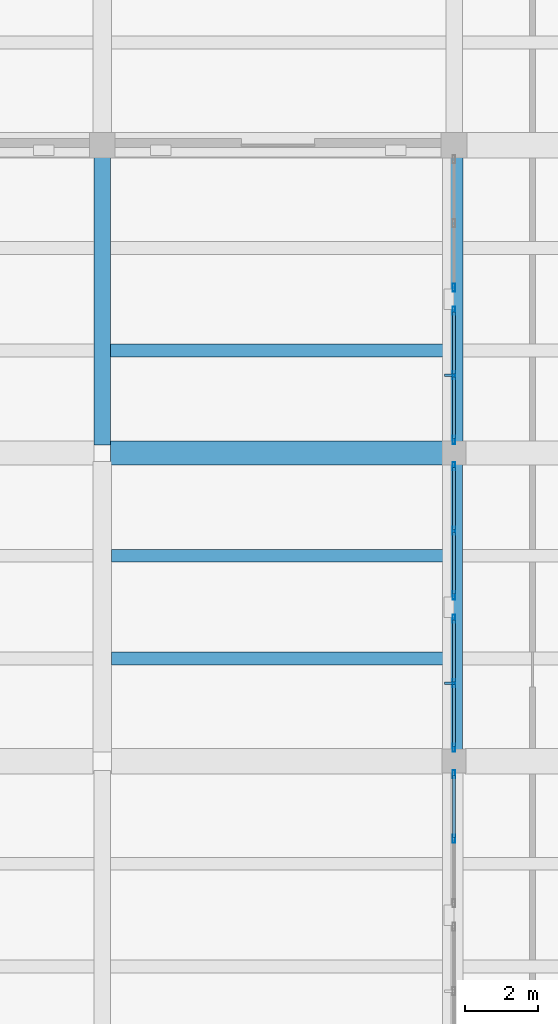
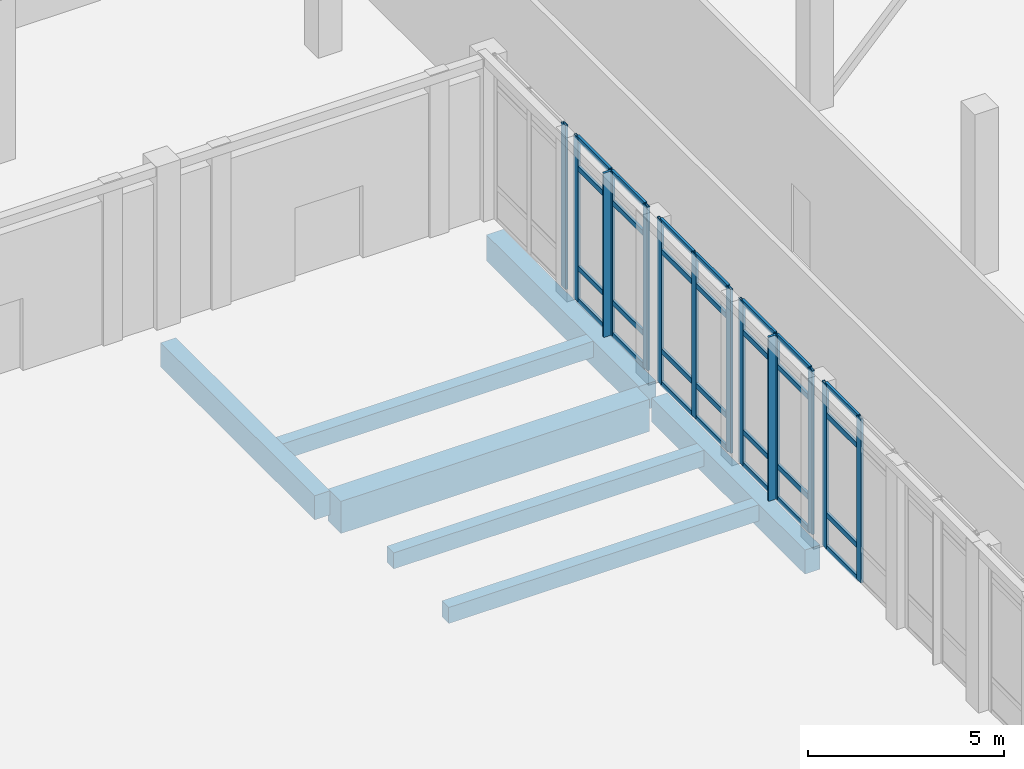
# One storey, part 20 of 71: 42 members, 7 beams, 5 elements without a shape of their own.
"""IFC4 building model written with IfcOpenShell, lengths in metres."""

from ifc_helpers import new_model, si_unit, direction, frame, origin, origin_2d, place, context, subcontext, project, spatial, rectangle, hollow_rectangle, extrude, material, layer, layer_set, material_profile, profile_set, type_object, element, aggregate, save


model = new_model("IFC4")

# Units and contexts
model_context = context("Model", 3, precision=1e-05, world=origin(), true_north=direction((0.0, 1.0)))
body_context = subcontext(model_context, "Body", "Model", "MODEL_VIEW")
ifc_project = project(units=[si_unit("LENGTHUNIT", "METRE"), si_unit("AREAUNIT", "SQUARE_METRE"), si_unit("VOLUMEUNIT", "CUBIC_METRE"), si_unit("PLANEANGLEUNIT", "RADIAN"), si_unit("MASSUNIT", "GRAM", prefix="KILO")], contexts=[model_context])

# Site, building, storey
site_placement = place(None, origin())
site = spatial("IfcSite", under=ifc_project, at=site_placement, CompositionType="ELEMENT")
building_placement = place(site_placement, origin())
building = spatial("IfcBuilding", under=site, at=building_placement, Name="Lornevale Opera House", CompositionType="ELEMENT")
storey_placement = place(building_placement, origin())
storey = spatial("IfcBuildingStorey", under=building, at=storey_placement, Name="L01", CompositionType="ELEMENT", Elevation=0.0)

# Beams
ifc_material_1 = material(Name="Concrete 35 MPa (CSA A23.1 N)", Category="concrete")
ifc_material_profile_1 = material_profile(ifc_material_1, rectangle(XDim=0.449951171875, YDim=0.75, at=origin_2d()), Name="RC450x750")
ifc_profile_set_1 = profile_set([ifc_material_profile_1], Name="Concrete 35 MPa (CSA A23.1 N)")
beam_type_1 = type_object("IfcBeamType", Name="Concrete Floor Beam 450x750", PredefinedType="USERDEFINED", material=ifc_profile_set_1)
beam_1_placement = place(storey_placement, frame((19.199951171875, 59.02490234375, -0.81494140625), z_axis=(0.0, 1.0, 0.0), x_axis=(-1.0, 0.0, 0.0)))
element("IfcBeam", 1, at=beam_1_placement, inside=storey, type_object=beam_type_1, Name="Concrete Floor Beam 450x750 1100", ObjectType="GIRDER", PredefinedType="USERDEFINED", context=body_context, shape_type="SweptSolid", body=[
    extrude(rectangle(XDim=0.449951171875, YDim=0.75, at=origin_2d()), origin(), (0.0, 0.0, 1.0), 7.85009765625),
])
beam_2_placement = place(storey_placement, frame((28.800048828125, 50.699951171875, -0.81494140625), z_axis=(0.0, 1.0, 0.0), x_axis=(-1.0, 0.0, 0.0)))
element("IfcBeam", 2, at=beam_2_placement, inside=storey, type_object=beam_type_1, Name="Concrete Floor Beam 450x750 1111", ObjectType="GIRDER", PredefinedType="USERDEFINED", context=body_context, shape_type="SweptSolid", body=[
    extrude(rectangle(XDim=0.449951171875, YDim=0.75, at=origin_2d()), origin(), (0.0, 0.0, 1.0), 7.800048828125),
])
ifc_material_profile_2 = material_profile(ifc_material_1, rectangle(XDim=0.5, YDim=0.800048828125, at=origin_2d()), Name="RC500x800")
ifc_profile_set_2 = profile_set([ifc_material_profile_2], Name="Concrete 35 MPa (CSA A23.1 N)")
beam_type_2 = type_object("IfcBeamType", Name="Concrete Floor Beam 500x800", PredefinedType="USERDEFINED", material=ifc_profile_set_2)
beam_3_placement = place(storey_placement, frame((28.800048828125, 59.10009765625, -0.840087890625), z_axis=(0.0, 1.0, 0.0), x_axis=(-1.0, 0.0, 0.0)))
element("IfcBeam", 3, at=beam_3_placement, inside=storey, type_object=beam_type_2, Name="Concrete Floor Beam 500x800 1112", ObjectType="GIRDER", PredefinedType="USERDEFINED", context=body_context, shape_type="SweptSolid", body=[
    extrude(rectangle(XDim=0.5, YDim=0.800048828125, at=origin_2d()), origin(), (0.0, 0.0, 1.0), 7.77490234375),
])
ifc_material_2 = material(Name="Concrete 40 MPa (CSA A23.1 C-1)", Category="concrete")
ifc_material_profile_3 = material_profile(ifc_material_2, rectangle(XDim=0.64990234375, YDim=1.0, at=origin_2d()), Name="RC650x1000")
ifc_profile_set_3 = profile_set([ifc_material_profile_3], Name="Concrete 40 MPa (CSA A23.1 C-1)")
beam_type_3 = type_object("IfcBeamType", Name="Concrete Primary Girder 650x1000", PredefinedType="USERDEFINED", material=ifc_profile_set_3)
beam_4_placement = place(storey_placement, frame((19.425048828125, 58.800048828125, -0.93994140625), z_axis=(1.0, 0.0, 0.0), x_axis=(0.0, 1.0, 0.0)))
element("IfcBeam", 4, at=beam_4_placement, inside=storey, type_object=beam_type_3, Name="Concrete Primary Girder 650x1000 0961", ObjectType="GIRDER", PredefinedType="USERDEFINED", context=body_context, shape_type="SweptSolid", body=[
    extrude(rectangle(XDim=0.64990234375, YDim=1.0, at=origin_2d()), origin(), (0.0, 0.0, 1.0), 9.074951171875),
])
ifc_material_profile_4 = material_profile(ifc_material_1, rectangle(XDim=0.35009765625, YDim=0.5, at=origin_2d()), Name="RC350x500")
ifc_profile_set_4 = profile_set([ifc_material_profile_4], Name="Concrete 35 MPa (CSA A23.1 N)")
beam_type_4 = type_object("IfcBeamType", Name="Concrete Secondary Rib 350x500", PredefinedType="JOIST", material=ifc_profile_set_4)
for number, where, z_axis, x_axis, name in (
    (5, (19.449951171875, 53.199951171875, -0.68994140625), (1.0, 0.0, 0.0), (0.0, 1.0, 0.0), "Concrete Secondary Rib 350x500 1349"),
    (6, (19.449951171875, 56.0, -0.68994140625), (1.0, 0.0, 0.0), (0.0, 1.0, 0.0), "Concrete Secondary Rib 350x500 1350"),
    (7, (19.425048828125, 61.60009765625, -0.68994140625), (1.0, 0.0, 0.0), (0.0, 1.0, 0.0), "Concrete Secondary Rib 350x500 1351"),
):
    element("IfcBeam", number, at=place(storey_placement, frame(where, z_axis=z_axis, x_axis=x_axis)), inside=storey, type_object=beam_type_4, Name=name, PredefinedType="JOIST", context=body_context, shape_type="SweptSolid", body=[
        extrude(rectangle(XDim=0.35009765625, YDim=0.5, at=origin_2d()), origin(), (0.0, 0.0, 1.0), 9.125),
    ])

# Curtain wall, members
ifc_material_3 = material(Name="Anodized Oxide-Green Aluminium Framing", Category="aluminium")
ifc_layer = layer(ifc_material_3, 0.215087890625)
ifc_layer_set = layer_set([ifc_layer], Name="Anodized Oxide-Green Aluminium Framing")
curtain_wall_type = type_object("IfcCurtainWallType", Name="Grand Foyer Curtain Wall M2000", PredefinedType="NOTDEFINED", material=ifc_layer_set)
curtain_wall_1_placement = place(storey_placement, origin())
curtain_wall_1 = element("IfcCurtainWall", 8, at=curtain_wall_1_placement, inside=storey, type_object=curtain_wall_type, Name="Grand Foyer Curtain Wall M2000 CW-006", PredefinedType="NOTDEFINED")
ifc_material_profile_5 = material_profile(ifc_material_3, hollow_rectangle(XDim=0.074951171875, YDim=0.219970703125, WallThickness=0.0048828125, at=origin_2d()), Name="ALU75x220x5")
ifc_profile_set_5 = profile_set([ifc_material_profile_5], Name="Anodized Oxide-Green Aluminium Framing")
member_type_1 = type_object("IfcMemberType", Name="Curtain Wall Mullion 75x220", PredefinedType="MULLION", material=ifc_profile_set_5)
member_1_placement = place(storey_placement, frame((28.800048828125, 48.279541015625, 0.0), z_axis=(0.0, 0.0, 1.0), x_axis=(-1.0, 0.0, 0.0)))
member_1 = element("IfcMember", 9, at=member_1_placement, type_object=member_type_1, Name="Curtain Wall Mullion 75x220 CW0087", PredefinedType="MULLION", context=body_context, shape_type="SweptSolid", body=[
    extrude(hollow_rectangle(XDim=0.074951171875, YDim=0.219970703125, WallThickness=0.0048828125, at=origin_2d()), origin(), (0.0, 0.0, 1.0), 5.10009765625),
])
member_2_placement = place(storey_placement, frame((28.800048828125, 50.04150390625, 0.0), z_axis=(0.0, 0.0, 1.0), x_axis=(-1.0, 0.0, 0.0)))
member_2 = element("IfcMember", 10, at=member_2_placement, type_object=member_type_1, Name="Curtain Wall Mullion 75x220 CW0088", PredefinedType="MULLION", context=body_context, shape_type="SweptSolid", body=[
    extrude(hollow_rectangle(XDim=0.074951171875, YDim=0.219970703125, WallThickness=0.0048828125, at=origin_2d()), origin(), (0.0, 0.0, 1.0), 5.10009765625),
])

curtain_wall_2_placement = place(storey_placement, origin())
curtain_wall_2 = element("IfcCurtainWall", 11, at=curtain_wall_2_placement, inside=storey, type_object=curtain_wall_type, Name="Grand Foyer Curtain Wall M2000 CW-007", PredefinedType="NOTDEFINED")
member_3_placement = place(storey_placement, frame((28.800048828125, 50.758544921875, 0.0), z_axis=(0.0, 0.0, 1.0), x_axis=(-1.0, 0.0, 0.0)))
member_3 = element("IfcMember", 12, at=member_3_placement, type_object=member_type_1, Name="Curtain Wall Mullion 75x220 CW0103", PredefinedType="MULLION", context=body_context, shape_type="SweptSolid", body=[
    extrude(hollow_rectangle(XDim=0.074951171875, YDim=0.219970703125, WallThickness=0.0048828125, at=origin_2d()), origin(), (0.0, 0.0, 1.0), 5.10009765625),
])
member_4_placement = place(storey_placement, frame((28.800048828125, 52.5205078125, 0.0), z_axis=(0.0, 0.0, 1.0), x_axis=(-1.0, 0.0, 0.0)))
member_4 = element("IfcMember", 13, at=member_4_placement, type_object=member_type_1, Name="Curtain Wall Mullion 75x220 CW0104", PredefinedType="MULLION", context=body_context, shape_type="SweptSolid", body=[
    extrude(hollow_rectangle(XDim=0.074951171875, YDim=0.219970703125, WallThickness=0.0048828125, at=origin_2d()), origin(), (0.0, 0.0, 1.0), 5.10009765625),
])
member_5_placement = place(storey_placement, frame((28.800048828125, 54.282470703125, 0.0), z_axis=(0.0, 0.0, 1.0), x_axis=(-1.0, 0.0, 0.0)))
member_5 = element("IfcMember", 14, at=member_5_placement, type_object=member_type_1, Name="Curtain Wall Mullion 75x220 CW0105", PredefinedType="MULLION", context=body_context, shape_type="SweptSolid", body=[
    extrude(hollow_rectangle(XDim=0.074951171875, YDim=0.219970703125, WallThickness=0.0048828125, at=origin_2d()), origin(), (0.0, 0.0, 1.0), 5.10009765625),
])

curtain_wall_3_placement = place(storey_placement, origin())
curtain_wall_3 = element("IfcCurtainWall", 15, at=curtain_wall_3_placement, inside=storey, type_object=curtain_wall_type, Name="Grand Foyer Curtain Wall M2000 CW-008", PredefinedType="NOTDEFINED")
member_6_placement = place(storey_placement, frame((28.800048828125, 54.91748046875, 0.0), z_axis=(0.0, 0.0, 1.0), x_axis=(-1.0, 0.0, 0.0)))
member_6 = element("IfcMember", 16, at=member_6_placement, type_object=member_type_1, Name="Curtain Wall Mullion 75x220 CW0120", PredefinedType="MULLION", context=body_context, shape_type="SweptSolid", body=[
    extrude(hollow_rectangle(XDim=0.074951171875, YDim=0.219970703125, WallThickness=0.0048828125, at=origin_2d()), origin(), (0.0, 0.0, 1.0), 5.10009765625),
])
member_7_placement = place(storey_placement, frame((28.800048828125, 56.679443359375, 0.0), z_axis=(0.0, 0.0, 1.0), x_axis=(-1.0, 0.0, 0.0)))
member_7 = element("IfcMember", 17, at=member_7_placement, type_object=member_type_1, Name="Curtain Wall Mullion 75x220 CW0121", PredefinedType="MULLION", context=body_context, shape_type="SweptSolid", body=[
    extrude(hollow_rectangle(XDim=0.074951171875, YDim=0.219970703125, WallThickness=0.0048828125, at=origin_2d()), origin(), (0.0, 0.0, 1.0), 5.10009765625),
])
member_8_placement = place(storey_placement, frame((28.800048828125, 58.44140625, 0.0), z_axis=(0.0, 0.0, 1.0), x_axis=(-1.0, 0.0, 0.0)))
member_8 = element("IfcMember", 18, at=member_8_placement, type_object=member_type_1, Name="Curtain Wall Mullion 75x220 CW0122", PredefinedType="MULLION", context=body_context, shape_type="SweptSolid", body=[
    extrude(hollow_rectangle(XDim=0.074951171875, YDim=0.219970703125, WallThickness=0.0048828125, at=origin_2d()), origin(), (0.0, 0.0, 1.0), 5.10009765625),
])

curtain_wall_4_placement = place(storey_placement, origin())
curtain_wall_4 = element("IfcCurtainWall", 19, at=curtain_wall_4_placement, inside=storey, type_object=curtain_wall_type, Name="Grand Foyer Curtain Wall M2000 CW-009", PredefinedType="NOTDEFINED")
member_9_placement = place(storey_placement, frame((28.800048828125, 59.158447265625, 0.0), z_axis=(0.0, 0.0, 1.0), x_axis=(-1.0, 0.0, 0.0)))
member_9 = element("IfcMember", 20, at=member_9_placement, type_object=member_type_1, Name="Curtain Wall Mullion 75x220 CW0137", PredefinedType="MULLION", context=body_context, shape_type="SweptSolid", body=[
    extrude(hollow_rectangle(XDim=0.074951171875, YDim=0.219970703125, WallThickness=0.0048828125, at=origin_2d()), origin(), (0.0, 0.0, 1.0), 5.10009765625),
])
member_10_placement = place(storey_placement, frame((28.800048828125, 60.92041015625, 0.0), z_axis=(0.0, 0.0, 1.0), x_axis=(-1.0, 0.0, 0.0)))
member_10 = element("IfcMember", 21, at=member_10_placement, type_object=member_type_1, Name="Curtain Wall Mullion 75x220 CW0138", PredefinedType="MULLION", context=body_context, shape_type="SweptSolid", body=[
    extrude(hollow_rectangle(XDim=0.074951171875, YDim=0.219970703125, WallThickness=0.0048828125, at=origin_2d()), origin(), (0.0, 0.0, 1.0), 5.10009765625),
])
member_11_placement = place(storey_placement, frame((28.800048828125, 62.6826171875, 0.0), z_axis=(0.0, 0.0, 1.0), x_axis=(-1.0, 0.0, 0.0)))
member_11 = element("IfcMember", 22, at=member_11_placement, type_object=member_type_1, Name="Curtain Wall Mullion 75x220 CW0139", PredefinedType="MULLION", context=body_context, shape_type="SweptSolid", body=[
    extrude(hollow_rectangle(XDim=0.074951171875, YDim=0.219970703125, WallThickness=0.0048828125, at=origin_2d()), origin(), (0.0, 0.0, 1.0), 5.10009765625),
])

# Curtain wall, member
curtain_wall_5_placement = place(storey_placement, origin())
curtain_wall_5 = element("IfcCurtainWall", 23, at=curtain_wall_5_placement, inside=storey, type_object=curtain_wall_type, Name="Grand Foyer Curtain Wall M2000 CW-010", PredefinedType="NOTDEFINED")
member_12_placement = place(storey_placement, frame((28.800048828125, 63.3173828125, 0.0), z_axis=(0.0, 0.0, 1.0), x_axis=(-1.0, 0.0, 0.0)))
member_12 = element("IfcMember", 24, at=member_12_placement, type_object=member_type_1, Name="Curtain Wall Mullion 75x220 CW0154", PredefinedType="MULLION", context=body_context, shape_type="SweptSolid", body=[
    extrude(hollow_rectangle(XDim=0.074951171875, YDim=0.219970703125, WallThickness=0.0048828125, at=origin_2d()), origin(), (0.0, 0.0, 1.0), 5.10009765625),
])
aggregate(curtain_wall_5, [member_12])

# Member
ifc_material_profile_6 = material_profile(ifc_material_3, hollow_rectangle(XDim=0.074951171875, YDim=0.159912109375, WallThickness=0.0048828125, at=origin_2d()), Name="ALU75x160x5")
ifc_profile_set_6 = profile_set([ifc_material_profile_6], Name="Anodized Oxide-Green Aluminium Framing")
member_type_2 = type_object("IfcMemberType", Name="Curtain Wall Transom 75x160", PredefinedType="USERDEFINED", material=ifc_profile_set_6)
member_13_placement = place(storey_placement, frame((28.800048828125, 48.31689453125, 0.03759765625), z_axis=(0.0, 1.0, 0.0), x_axis=(-1.0, 0.0, 0.0)))
member_13 = element("IfcMember", 25, at=member_13_placement, type_object=member_type_2, Name="Curtain Wall Transom 75x160 CW0096", ObjectType="TRANSOM", PredefinedType="USERDEFINED", context=body_context, shape_type="SweptSolid", body=[
    extrude(hollow_rectangle(XDim=0.074951171875, YDim=0.159912109375, WallThickness=0.0048828125, at=origin_2d()), origin(), (0.0, 0.0, 1.0), 1.68701171875),
])

member_14_placement = place(storey_placement, frame((28.800048828125, 48.31689453125, 1.050048828125), z_axis=(0.0, 1.0, 0.0), x_axis=(-1.0, 0.0, 0.0)))
member_14 = element("IfcMember", 26, at=member_14_placement, type_object=member_type_2, Name="Curtain Wall Transom 75x160 CW0097", ObjectType="TRANSOM", PredefinedType="USERDEFINED", context=body_context, shape_type="SweptSolid", body=[
    extrude(hollow_rectangle(XDim=0.074951171875, YDim=0.159912109375, WallThickness=0.0048828125, at=origin_2d()), origin(), (0.0, 0.0, 1.0), 1.68701171875),
])

member_15_placement = place(storey_placement, frame((28.800048828125, 48.31689453125, 4.14990234375), z_axis=(0.0, 1.0, 0.0), x_axis=(-1.0, 0.0, 0.0)))
member_15 = element("IfcMember", 27, at=member_15_placement, type_object=member_type_2, Name="Curtain Wall Transom 75x160 CW0098", ObjectType="TRANSOM", PredefinedType="USERDEFINED", context=body_context, shape_type="SweptSolid", body=[
    extrude(hollow_rectangle(XDim=0.074951171875, YDim=0.159912109375, WallThickness=0.0048828125, at=origin_2d()), origin(), (0.0, 0.0, 1.0), 1.68701171875),
])

member_16_placement = place(storey_placement, frame((28.800048828125, 48.31689453125, 5.0625), z_axis=(0.0, 1.0, 0.0), x_axis=(-1.0, 0.0, 0.0)))
member_16 = element("IfcMember", 28, at=member_16_placement, type_object=member_type_2, Name="Curtain Wall Transom 75x160 CW0099", ObjectType="TRANSOM", PredefinedType="USERDEFINED", context=body_context, shape_type="SweptSolid", body=[
    extrude(hollow_rectangle(XDim=0.074951171875, YDim=0.159912109375, WallThickness=0.0048828125, at=origin_2d()), origin(), (0.0, 0.0, 1.0), 1.68701171875),
])

aggregate(curtain_wall_1, [member_1, member_2, member_13, member_14, member_15, member_16])

member_17_placement = place(storey_placement, frame((28.800048828125, 50.7958984375, 0.03759765625), z_axis=(0.0, 1.0, 0.0), x_axis=(-1.0, 0.0, 0.0)))
member_17 = element("IfcMember", 29, at=member_17_placement, type_object=member_type_2, Name="Curtain Wall Transom 75x160 CW0106", ObjectType="TRANSOM", PredefinedType="USERDEFINED", context=body_context, shape_type="SweptSolid", body=[
    extrude(hollow_rectangle(XDim=0.074951171875, YDim=0.159912109375, WallThickness=0.0048828125, at=origin_2d()), origin(), (0.0, 0.0, 1.0), 1.68701171875),
])

member_18_placement = place(storey_placement, frame((28.800048828125, 50.7958984375, 1.050048828125), z_axis=(0.0, 1.0, 0.0), x_axis=(-1.0, 0.0, 0.0)))
member_18 = element("IfcMember", 30, at=member_18_placement, type_object=member_type_2, Name="Curtain Wall Transom 75x160 CW0107", ObjectType="TRANSOM", PredefinedType="USERDEFINED", context=body_context, shape_type="SweptSolid", body=[
    extrude(hollow_rectangle(XDim=0.074951171875, YDim=0.159912109375, WallThickness=0.0048828125, at=origin_2d()), origin(), (0.0, 0.0, 1.0), 1.68701171875),
])

member_19_placement = place(storey_placement, frame((28.800048828125, 50.7958984375, 4.14990234375), z_axis=(0.0, 1.0, 0.0), x_axis=(-1.0, 0.0, 0.0)))
member_19 = element("IfcMember", 31, at=member_19_placement, type_object=member_type_2, Name="Curtain Wall Transom 75x160 CW0108", ObjectType="TRANSOM", PredefinedType="USERDEFINED", context=body_context, shape_type="SweptSolid", body=[
    extrude(hollow_rectangle(XDim=0.074951171875, YDim=0.159912109375, WallThickness=0.0048828125, at=origin_2d()), origin(), (0.0, 0.0, 1.0), 1.68701171875),
])

member_20_placement = place(storey_placement, frame((28.800048828125, 50.7958984375, 5.0625), z_axis=(0.0, 1.0, 0.0), x_axis=(-1.0, 0.0, 0.0)))
member_20 = element("IfcMember", 32, at=member_20_placement, type_object=member_type_2, Name="Curtain Wall Transom 75x160 CW0109", ObjectType="TRANSOM", PredefinedType="USERDEFINED", context=body_context, shape_type="SweptSolid", body=[
    extrude(hollow_rectangle(XDim=0.074951171875, YDim=0.159912109375, WallThickness=0.0048828125, at=origin_2d()), origin(), (0.0, 0.0, 1.0), 1.68701171875),
])

member_21_placement = place(storey_placement, frame((28.800048828125, 52.55810546875, 0.03759765625), z_axis=(0.0, 1.0, 0.0), x_axis=(-1.0, 0.0, 0.0)))
member_21 = element("IfcMember", 33, at=member_21_placement, type_object=member_type_2, Name="Curtain Wall Transom 75x160 CW0113", ObjectType="TRANSOM", PredefinedType="USERDEFINED", context=body_context, shape_type="SweptSolid", body=[
    extrude(hollow_rectangle(XDim=0.074951171875, YDim=0.159912109375, WallThickness=0.0048828125, at=origin_2d()), origin(), (0.0, 0.0, 1.0), 1.68701171875),
])

member_22_placement = place(storey_placement, frame((28.800048828125, 52.55810546875, 1.050048828125), z_axis=(0.0, 1.0, 0.0), x_axis=(-1.0, 0.0, 0.0)))
member_22 = element("IfcMember", 34, at=member_22_placement, type_object=member_type_2, Name="Curtain Wall Transom 75x160 CW0114", ObjectType="TRANSOM", PredefinedType="USERDEFINED", context=body_context, shape_type="SweptSolid", body=[
    extrude(hollow_rectangle(XDim=0.074951171875, YDim=0.159912109375, WallThickness=0.0048828125, at=origin_2d()), origin(), (0.0, 0.0, 1.0), 1.68701171875),
])

member_23_placement = place(storey_placement, frame((28.800048828125, 52.55810546875, 4.14990234375), z_axis=(0.0, 1.0, 0.0), x_axis=(-1.0, 0.0, 0.0)))
member_23 = element("IfcMember", 35, at=member_23_placement, type_object=member_type_2, Name="Curtain Wall Transom 75x160 CW0115", ObjectType="TRANSOM", PredefinedType="USERDEFINED", context=body_context, shape_type="SweptSolid", body=[
    extrude(hollow_rectangle(XDim=0.074951171875, YDim=0.159912109375, WallThickness=0.0048828125, at=origin_2d()), origin(), (0.0, 0.0, 1.0), 1.68701171875),
])

member_24_placement = place(storey_placement, frame((28.800048828125, 52.55810546875, 5.0625), z_axis=(0.0, 1.0, 0.0), x_axis=(-1.0, 0.0, 0.0)))
member_24 = element("IfcMember", 36, at=member_24_placement, type_object=member_type_2, Name="Curtain Wall Transom 75x160 CW0116", ObjectType="TRANSOM", PredefinedType="USERDEFINED", context=body_context, shape_type="SweptSolid", body=[
    extrude(hollow_rectangle(XDim=0.074951171875, YDim=0.159912109375, WallThickness=0.0048828125, at=origin_2d()), origin(), (0.0, 0.0, 1.0), 1.68701171875),
])

member_25_placement = place(storey_placement, frame((28.800048828125, 54.955078125, 0.03759765625), z_axis=(0.0, 1.0, 0.0), x_axis=(-1.0, 0.0, 0.0)))
member_25 = element("IfcMember", 37, at=member_25_placement, type_object=member_type_2, Name="Curtain Wall Transom 75x160 CW0123", ObjectType="TRANSOM", PredefinedType="USERDEFINED", context=body_context, shape_type="SweptSolid", body=[
    extrude(hollow_rectangle(XDim=0.074951171875, YDim=0.159912109375, WallThickness=0.0048828125, at=origin_2d()), origin(), (0.0, 0.0, 1.0), 1.68701171875),
])

member_26_placement = place(storey_placement, frame((28.800048828125, 54.955078125, 1.050048828125), z_axis=(0.0, 1.0, 0.0), x_axis=(-1.0, 0.0, 0.0)))
member_26 = element("IfcMember", 38, at=member_26_placement, type_object=member_type_2, Name="Curtain Wall Transom 75x160 CW0124", ObjectType="TRANSOM", PredefinedType="USERDEFINED", context=body_context, shape_type="SweptSolid", body=[
    extrude(hollow_rectangle(XDim=0.074951171875, YDim=0.159912109375, WallThickness=0.0048828125, at=origin_2d()), origin(), (0.0, 0.0, 1.0), 1.68701171875),
])

member_27_placement = place(storey_placement, frame((28.800048828125, 54.955078125, 4.14990234375), z_axis=(0.0, 1.0, 0.0), x_axis=(-1.0, 0.0, 0.0)))
member_27 = element("IfcMember", 39, at=member_27_placement, type_object=member_type_2, Name="Curtain Wall Transom 75x160 CW0125", ObjectType="TRANSOM", PredefinedType="USERDEFINED", context=body_context, shape_type="SweptSolid", body=[
    extrude(hollow_rectangle(XDim=0.074951171875, YDim=0.159912109375, WallThickness=0.0048828125, at=origin_2d()), origin(), (0.0, 0.0, 1.0), 1.68701171875),
])

member_28_placement = place(storey_placement, frame((28.800048828125, 54.955078125, 5.0625), z_axis=(0.0, 1.0, 0.0), x_axis=(-1.0, 0.0, 0.0)))
member_28 = element("IfcMember", 40, at=member_28_placement, type_object=member_type_2, Name="Curtain Wall Transom 75x160 CW0126", ObjectType="TRANSOM", PredefinedType="USERDEFINED", context=body_context, shape_type="SweptSolid", body=[
    extrude(hollow_rectangle(XDim=0.074951171875, YDim=0.159912109375, WallThickness=0.0048828125, at=origin_2d()), origin(), (0.0, 0.0, 1.0), 1.68701171875),
])

member_29_placement = place(storey_placement, frame((28.800048828125, 56.717041015625, 0.03759765625), z_axis=(0.0, 1.0, 0.0), x_axis=(-1.0, 0.0, 0.0)))
member_29 = element("IfcMember", 41, at=member_29_placement, type_object=member_type_2, Name="Curtain Wall Transom 75x160 CW0130", ObjectType="TRANSOM", PredefinedType="USERDEFINED", context=body_context, shape_type="SweptSolid", body=[
    extrude(hollow_rectangle(XDim=0.074951171875, YDim=0.159912109375, WallThickness=0.0048828125, at=origin_2d()), origin(), (0.0, 0.0, 1.0), 1.68701171875),
])

member_30_placement = place(storey_placement, frame((28.800048828125, 56.717041015625, 1.050048828125), z_axis=(0.0, 1.0, 0.0), x_axis=(-1.0, 0.0, 0.0)))
member_30 = element("IfcMember", 42, at=member_30_placement, type_object=member_type_2, Name="Curtain Wall Transom 75x160 CW0131", ObjectType="TRANSOM", PredefinedType="USERDEFINED", context=body_context, shape_type="SweptSolid", body=[
    extrude(hollow_rectangle(XDim=0.074951171875, YDim=0.159912109375, WallThickness=0.0048828125, at=origin_2d()), origin(), (0.0, 0.0, 1.0), 1.68701171875),
])

member_31_placement = place(storey_placement, frame((28.800048828125, 56.717041015625, 4.14990234375), z_axis=(0.0, 1.0, 0.0), x_axis=(-1.0, 0.0, 0.0)))
member_31 = element("IfcMember", 43, at=member_31_placement, type_object=member_type_2, Name="Curtain Wall Transom 75x160 CW0132", ObjectType="TRANSOM", PredefinedType="USERDEFINED", context=body_context, shape_type="SweptSolid", body=[
    extrude(hollow_rectangle(XDim=0.074951171875, YDim=0.159912109375, WallThickness=0.0048828125, at=origin_2d()), origin(), (0.0, 0.0, 1.0), 1.68701171875),
])

member_32_placement = place(storey_placement, frame((28.800048828125, 56.717041015625, 5.0625), z_axis=(0.0, 1.0, 0.0), x_axis=(-1.0, 0.0, 0.0)))
member_32 = element("IfcMember", 44, at=member_32_placement, type_object=member_type_2, Name="Curtain Wall Transom 75x160 CW0133", ObjectType="TRANSOM", PredefinedType="USERDEFINED", context=body_context, shape_type="SweptSolid", body=[
    extrude(hollow_rectangle(XDim=0.074951171875, YDim=0.159912109375, WallThickness=0.0048828125, at=origin_2d()), origin(), (0.0, 0.0, 1.0), 1.68701171875),
])

aggregate(curtain_wall_3, [member_6, member_7, member_8, member_25, member_26, member_27, member_28, member_29, member_30, member_31, member_32])

member_33_placement = place(storey_placement, frame((28.800048828125, 59.196044921875, 0.03759765625), z_axis=(0.0, 1.0, 0.0), x_axis=(-1.0, 0.0, 0.0)))
member_33 = element("IfcMember", 45, at=member_33_placement, type_object=member_type_2, Name="Curtain Wall Transom 75x160 CW0140", ObjectType="TRANSOM", PredefinedType="USERDEFINED", context=body_context, shape_type="SweptSolid", body=[
    extrude(hollow_rectangle(XDim=0.074951171875, YDim=0.159912109375, WallThickness=0.0048828125, at=origin_2d()), origin(), (0.0, 0.0, 1.0), 1.68701171875),
])

member_34_placement = place(storey_placement, frame((28.800048828125, 59.196044921875, 1.050048828125), z_axis=(0.0, 1.0, 0.0), x_axis=(-1.0, 0.0, 0.0)))
member_34 = element("IfcMember", 46, at=member_34_placement, type_object=member_type_2, Name="Curtain Wall Transom 75x160 CW0141", ObjectType="TRANSOM", PredefinedType="USERDEFINED", context=body_context, shape_type="SweptSolid", body=[
    extrude(hollow_rectangle(XDim=0.074951171875, YDim=0.159912109375, WallThickness=0.0048828125, at=origin_2d()), origin(), (0.0, 0.0, 1.0), 1.68701171875),
])

member_35_placement = place(storey_placement, frame((28.800048828125, 59.196044921875, 4.14990234375), z_axis=(0.0, 1.0, 0.0), x_axis=(-1.0, 0.0, 0.0)))
member_35 = element("IfcMember", 47, at=member_35_placement, type_object=member_type_2, Name="Curtain Wall Transom 75x160 CW0142", ObjectType="TRANSOM", PredefinedType="USERDEFINED", context=body_context, shape_type="SweptSolid", body=[
    extrude(hollow_rectangle(XDim=0.074951171875, YDim=0.159912109375, WallThickness=0.0048828125, at=origin_2d()), origin(), (0.0, 0.0, 1.0), 1.68701171875),
])

member_36_placement = place(storey_placement, frame((28.800048828125, 59.196044921875, 5.0625), z_axis=(0.0, 1.0, 0.0), x_axis=(-1.0, 0.0, 0.0)))
member_36 = element("IfcMember", 48, at=member_36_placement, type_object=member_type_2, Name="Curtain Wall Transom 75x160 CW0143", ObjectType="TRANSOM", PredefinedType="USERDEFINED", context=body_context, shape_type="SweptSolid", body=[
    extrude(hollow_rectangle(XDim=0.074951171875, YDim=0.159912109375, WallThickness=0.0048828125, at=origin_2d()), origin(), (0.0, 0.0, 1.0), 1.68701171875),
])

member_37_placement = place(storey_placement, frame((28.800048828125, 60.9580078125, 0.03759765625), z_axis=(0.0, 1.0, 0.0), x_axis=(-1.0, 0.0, 0.0)))
member_37 = element("IfcMember", 49, at=member_37_placement, type_object=member_type_2, Name="Curtain Wall Transom 75x160 CW0147", ObjectType="TRANSOM", PredefinedType="USERDEFINED", context=body_context, shape_type="SweptSolid", body=[
    extrude(hollow_rectangle(XDim=0.074951171875, YDim=0.159912109375, WallThickness=0.0048828125, at=origin_2d()), origin(), (0.0, 0.0, 1.0), 1.68701171875),
])

member_38_placement = place(storey_placement, frame((28.800048828125, 60.9580078125, 1.050048828125), z_axis=(0.0, 1.0, 0.0), x_axis=(-1.0, 0.0, 0.0)))
member_38 = element("IfcMember", 50, at=member_38_placement, type_object=member_type_2, Name="Curtain Wall Transom 75x160 CW0148", ObjectType="TRANSOM", PredefinedType="USERDEFINED", context=body_context, shape_type="SweptSolid", body=[
    extrude(hollow_rectangle(XDim=0.074951171875, YDim=0.159912109375, WallThickness=0.0048828125, at=origin_2d()), origin(), (0.0, 0.0, 1.0), 1.68701171875),
])

member_39_placement = place(storey_placement, frame((28.800048828125, 60.9580078125, 4.14990234375), z_axis=(0.0, 1.0, 0.0), x_axis=(-1.0, 0.0, 0.0)))
member_39 = element("IfcMember", 51, at=member_39_placement, type_object=member_type_2, Name="Curtain Wall Transom 75x160 CW0149", ObjectType="TRANSOM", PredefinedType="USERDEFINED", context=body_context, shape_type="SweptSolid", body=[
    extrude(hollow_rectangle(XDim=0.074951171875, YDim=0.159912109375, WallThickness=0.0048828125, at=origin_2d()), origin(), (0.0, 0.0, 1.0), 1.68701171875),
])

member_40_placement = place(storey_placement, frame((28.800048828125, 60.9580078125, 5.0625), z_axis=(0.0, 1.0, 0.0), x_axis=(-1.0, 0.0, 0.0)))
member_40 = element("IfcMember", 52, at=member_40_placement, type_object=member_type_2, Name="Curtain Wall Transom 75x160 CW0150", ObjectType="TRANSOM", PredefinedType="USERDEFINED", context=body_context, shape_type="SweptSolid", body=[
    extrude(hollow_rectangle(XDim=0.074951171875, YDim=0.159912109375, WallThickness=0.0048828125, at=origin_2d()), origin(), (0.0, 0.0, 1.0), 1.68701171875),
])

ifc_material_4 = material(Name="Architectural Bronze Solar Louvre Alloy", Category="metal")
ifc_material_profile_7 = material_profile(ifc_material_4, rectangle(XDim=0.070068359375, YDim=0.300048828125, at=origin_2d()), Name="FIN70x300")
ifc_profile_set_7 = profile_set([ifc_material_profile_7], Name="Architectural Bronze Solar Louvre Alloy")
member_type_3 = type_object("IfcMemberType", Name="Solar Shading Fin 70x300", PredefinedType="USERDEFINED", material=ifc_profile_set_7)
member_41_placement = place(storey_placement, frame((28.695068359375, 52.5205078125, 0.0), z_axis=(0.0, 0.0, 1.0), x_axis=(0.0, 1.0, 0.0)))
member_41 = element("IfcMember", 53, at=member_41_placement, type_object=member_type_3, Name="Solar Shading Fin 70x300 FIN0004", ObjectType="SOLAR FIN", PredefinedType="USERDEFINED", context=body_context, shape_type="SweptSolid", body=[
    extrude(rectangle(XDim=0.070068359375, YDim=0.300048828125, at=origin_2d()), origin(), (0.0, 0.0, 1.0), 5.10009765625),
])

aggregate(curtain_wall_2, [member_3, member_4, member_5, member_17, member_18, member_19, member_20, member_21, member_22, member_23, member_24, member_41])

member_42_placement = place(storey_placement, frame((28.695068359375, 60.92041015625, 0.0), z_axis=(0.0, 0.0, 1.0), x_axis=(0.0, 1.0, 0.0)))
member_42 = element("IfcMember", 54, at=member_42_placement, type_object=member_type_3, Name="Solar Shading Fin 70x300 FIN0005", ObjectType="SOLAR FIN", PredefinedType="USERDEFINED", context=body_context, shape_type="SweptSolid", body=[
    extrude(rectangle(XDim=0.070068359375, YDim=0.300048828125, at=origin_2d()), origin(), (0.0, 0.0, 1.0), 5.10009765625),
])

aggregate(curtain_wall_4, [member_9, member_10, member_11, member_33, member_34, member_35, member_36, member_37, member_38, member_39, member_40, member_42])

save(model, "model.ifc")
